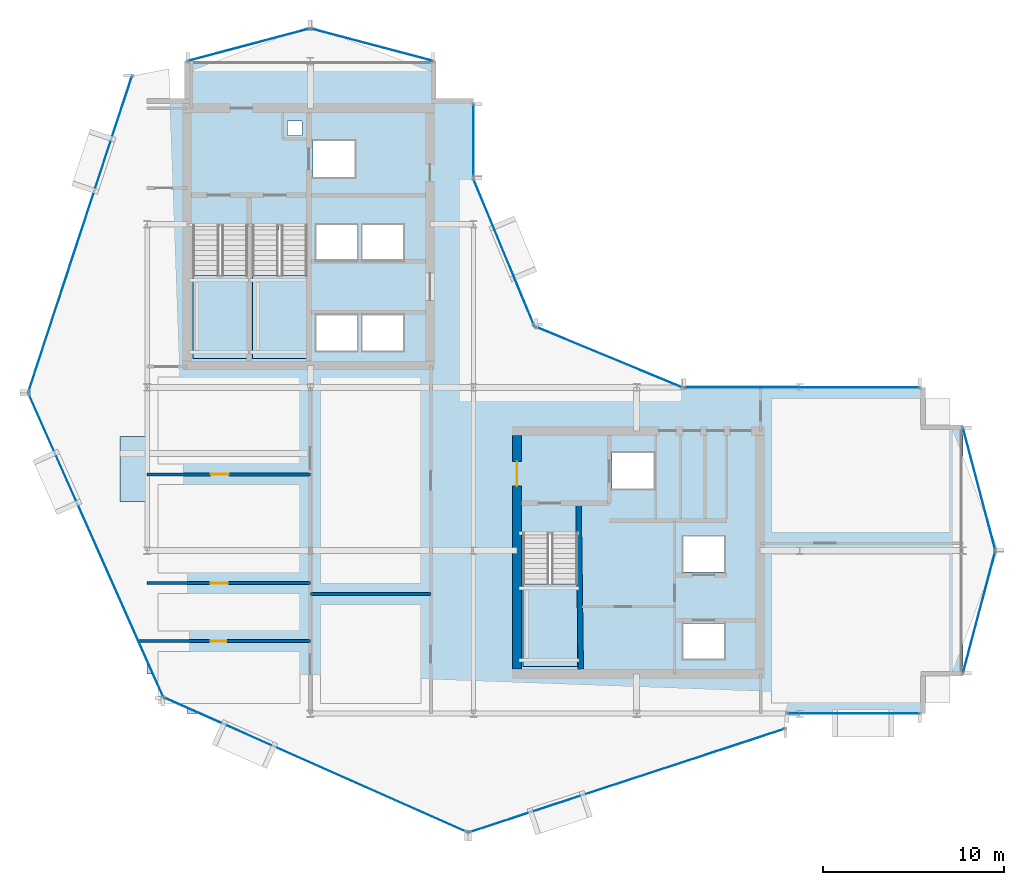
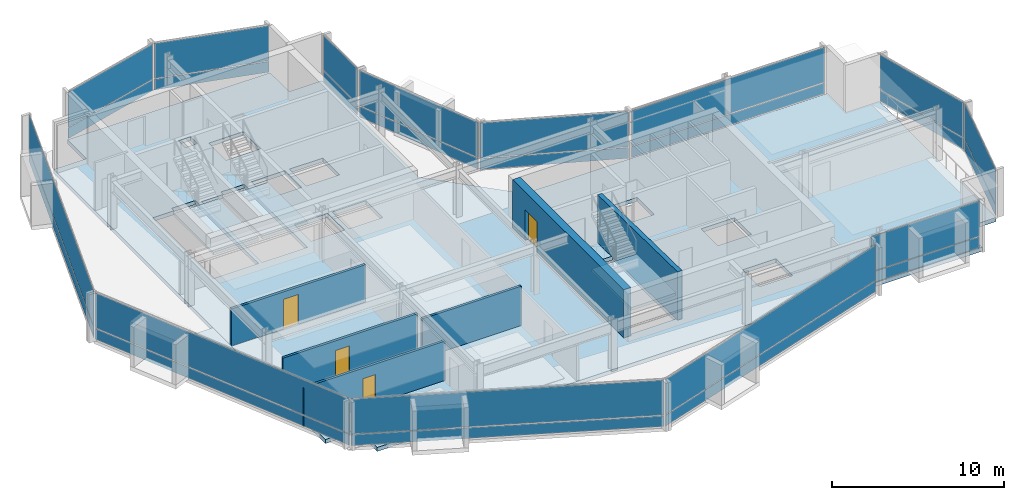
# One storey, part 19 of 27: 26 plates, 6 walls, 5 slabs, 4 doors, 4 openings, 16 elements without a shape of their own.
"""IFC4 building model written with IfcOpenShell, lengths in metres."""

from ifc_helpers import new_model, si_unit, direction, frame, frame_2d, origin, origin_2d, place, context, subcontext, project, spatial, polyline, rectangle, outline, extrude, material, layer, layer_set, type_object, element, fill, aggregate, save


model = new_model("IFC4")

# Units and contexts
model_context = context("Model", 3, precision=1e-05, world=origin(), true_north=direction((0.0, 1.0)))
body_context = subcontext(model_context, "Body", "Model", "MODEL_VIEW")
ifc_project = project(units=[si_unit("LENGTHUNIT", "METRE"), si_unit("AREAUNIT", "SQUARE_METRE"), si_unit("VOLUMEUNIT", "CUBIC_METRE"), si_unit("PLANEANGLEUNIT", "RADIAN"), si_unit("MASSUNIT", "GRAM", prefix="KILO")], contexts=[model_context])

# Site, building, storey
site_placement = place(None, origin())
site = spatial("IfcSite", under=ifc_project, at=site_placement, CompositionType="ELEMENT")
building_placement = place(site_placement, origin())
building = spatial("IfcBuilding", under=site, at=building_placement, Name="Solvaryn Broadcast Tower", CompositionType="ELEMENT")
storey_placement = place(building_placement, frame((0.0, 0.0, 177.89990234375)))
storey = spatial("IfcBuildingStorey", under=building, at=storey_placement, Name="L44", CompositionType="ELEMENT", Elevation=177.89990234375)

# Curtain wall, plates
ifc_material_1 = material(Name="Aluminium and Terracotta Unitised Curtain Wall", Category="masonry")
ifc_layer_1 = layer(ifc_material_1, 0.199951171875)
ifc_layer_set_1 = layer_set([ifc_layer_1], Name="CW-SYS2-LOWMID")
curtain_wall_type = type_object("IfcCurtainWallType", Name="CW-SYS2-LOWMID", PredefinedType="NOTDEFINED", material=ifc_layer_set_1)
curtain_wall_1_placement = place(storey_placement, origin())
curtain_wall_1 = element("IfcCurtainWall", 1, at=curtain_wall_1_placement, inside=storey, type_object=curtain_wall_type, Name="L44 Curtain Wall DR1", PredefinedType="NOTDEFINED")
ifc_material_2 = material(Name="Kiln-Fired Architectural Terracotta Spandrel", Category="masonry")
ifc_layer_2 = layer(ifc_material_2, 0.048095703125)
ifc_layer_set_2 = layer_set([ifc_layer_2], Name="CW-PNL-TERRACOTTA")
plate_type = type_object("IfcPlateType", Name="CW-PNL-TERRACOTTA", PredefinedType="CURTAIN_PANEL", material=ifc_layer_set_2)
plate_1_placement = place(storey_placement, frame((5.298095703125, 35.444091796875, 0.06005859375), z_axis=(0.0, 0.0, 1.0), x_axis=(-0.311558717623, -0.950226902099, 0.0)))
plate_1 = element("IfcPlate", 2, at=plate_1_placement, type_object=plate_type, Name="CWS2 panel 1.1", PredefinedType="CURTAIN_PANEL", context=body_context, shape_type="SweptSolid", body=[
    extrude(rectangle(XDim=18.271484375, YDim=0.028076171875, at=origin_2d()), origin(), (0.0, 0.0, 1.0), 0.760009765625),
])
plate_2_placement = place(storey_placement, frame((5.298095703125, 35.444091796875, 0.880126953125), z_axis=(0.0, 0.0, 1.0), x_axis=(-0.311558717623, -0.950226902099, 0.0)))
plate_2 = element("IfcPlate", 3, at=plate_2_placement, type_object=plate_type, Name="CWS2 panel 1.2", PredefinedType="CURTAIN_PANEL", context=body_context, shape_type="SweptSolid", body=[
    extrude(rectangle(XDim=18.271484375, YDim=0.028076171875, at=origin_2d()), origin(), (0.0, 0.0, 1.0), 2.47998046875),
])
aggregate(curtain_wall_1, [plate_1, plate_2])

curtain_wall_2_placement = place(storey_placement, origin())
curtain_wall_2 = element("IfcCurtainWall", 4, at=curtain_wall_2_placement, inside=storey, type_object=curtain_wall_type, Name="L44 Curtain Wall DR2", PredefinedType="NOTDEFINED")
plate_3_placement = place(storey_placement, frame((6.16552734375, 18.302001953125, 0.06005859375), z_axis=(0.0, 0.0, 1.0), x_axis=(0.405901337237, -0.913916902365, 0.0)))
plate_3 = element("IfcPlate", 5, at=plate_3_placement, type_object=plate_type, Name="CWS2 panel 1.1", PredefinedType="CURTAIN_PANEL", context=body_context, shape_type="SweptSolid", body=[
    extrude(rectangle(XDim=18.271240234375, YDim=0.028076171875, at=origin_2d()), origin(), (0.0, 0.0, 1.0), 0.760009765625),
])
plate_4_placement = place(storey_placement, frame((6.16552734375, 18.302001953125, 0.880126953125), z_axis=(0.0, 0.0, 1.0), x_axis=(0.405901337237, -0.913916902365, 0.0)))
plate_4 = element("IfcPlate", 6, at=plate_4_placement, type_object=plate_type, Name="CWS2 panel 1.2", PredefinedType="CURTAIN_PANEL", context=body_context, shape_type="SweptSolid", body=[
    extrude(rectangle(XDim=18.271240234375, YDim=0.028076171875, at=origin_2d()), origin(), (0.0, 0.0, 1.0), 2.47998046875),
])
aggregate(curtain_wall_2, [plate_3, plate_4])

curtain_wall_3_placement = place(storey_placement, origin())
curtain_wall_3 = element("IfcCurtainWall", 7, at=curtain_wall_3_placement, inside=storey, type_object=curtain_wall_type, Name="L44 Curtain Wall DR3", PredefinedType="NOTDEFINED")
plate_5_placement = place(storey_placement, frame((18.302001953125, 6.16552734375, 0.06005859375), z_axis=(0.0, 0.0, 1.0), x_axis=(0.913916902365, -0.405901337237, 0.0)))
plate_5 = element("IfcPlate", 8, at=plate_5_placement, type_object=plate_type, Name="CWS2 panel 1.1", PredefinedType="CURTAIN_PANEL", context=body_context, shape_type="SweptSolid", body=[
    extrude(rectangle(XDim=18.271240234375, YDim=0.028076171875, at=origin_2d()), origin(), (0.0, 0.0, 1.0), 0.760009765625),
])
plate_6_placement = place(storey_placement, frame((18.302001953125, 6.16552734375, 0.880126953125), z_axis=(0.0, 0.0, 1.0), x_axis=(0.913916902365, -0.405901337237, 0.0)))
plate_6 = element("IfcPlate", 9, at=plate_6_placement, type_object=plate_type, Name="CWS2 panel 1.2", PredefinedType="CURTAIN_PANEL", context=body_context, shape_type="SweptSolid", body=[
    extrude(rectangle(XDim=18.271240234375, YDim=0.028076171875, at=origin_2d()), origin(), (0.0, 0.0, 1.0), 2.47998046875),
])
aggregate(curtain_wall_3, [plate_5, plate_6])

curtain_wall_4_placement = place(storey_placement, origin())
curtain_wall_4 = element("IfcCurtainWall", 10, at=curtain_wall_4_placement, inside=storey, type_object=curtain_wall_type, Name="L44 Curtain Wall DR4", PredefinedType="NOTDEFINED")
plate_7_placement = place(storey_placement, frame((35.444091796875, 5.298095703125, 0.06005859375), z_axis=(0.0, 0.0, 1.0), x_axis=(0.950226902099, 0.311558717623, 0.0)))
plate_7 = element("IfcPlate", 11, at=plate_7_placement, type_object=plate_type, Name="CWS2 panel 1.1", PredefinedType="CURTAIN_PANEL", context=body_context, shape_type="SweptSolid", body=[
    extrude(rectangle(XDim=18.271484375, YDim=0.028076171875, at=origin_2d()), origin(), (0.0, 0.0, 1.0), 0.760009765625),
])
plate_8_placement = place(storey_placement, frame((35.444091796875, 5.298095703125, 0.880126953125), z_axis=(0.0, 0.0, 1.0), x_axis=(0.950226902099, 0.311558717623, 0.0)))
plate_8 = element("IfcPlate", 12, at=plate_8_placement, type_object=plate_type, Name="CWS2 panel 1.2", PredefinedType="CURTAIN_PANEL", context=body_context, shape_type="SweptSolid", body=[
    extrude(rectangle(XDim=18.271484375, YDim=0.028076171875, at=origin_2d()), origin(), (0.0, 0.0, 1.0), 2.47998046875),
])
aggregate(curtain_wall_4, [plate_7, plate_8])

curtain_wall_5_placement = place(storey_placement, origin())
curtain_wall_5 = element("IfcCurtainWall", 13, at=curtain_wall_5_placement, inside=storey, type_object=curtain_wall_type, Name="L44 Curtain Wall IV", PredefinedType="NOTDEFINED")
plate_9_placement = place(storey_placement, frame((27.0, 40.625, 0.06005859375), z_axis=(0.0, 0.0, 1.0), x_axis=(0.0, -1.0, 0.0)))
plate_9 = element("IfcPlate", 14, at=plate_9_placement, type_object=plate_type, Name="CWS2 panel 1.1", PredefinedType="CURTAIN_PANEL", context=body_context, shape_type="SweptSolid", body=[
    extrude(rectangle(XDim=3.929931640625, YDim=0.028076171875, at=origin_2d()), origin(), (0.0, 0.0, 1.0), 0.760009765625),
])
plate_10_placement = place(storey_placement, frame((27.0, 40.625, 0.880126953125), z_axis=(0.0, 0.0, 1.0), x_axis=(0.0, -1.0, 0.0)))
plate_10 = element("IfcPlate", 15, at=plate_10_placement, type_object=plate_type, Name="CWS2 panel 1.2", PredefinedType="CURTAIN_PANEL", context=body_context, shape_type="SweptSolid", body=[
    extrude(rectangle(XDim=3.929931640625, YDim=0.028076171875, at=origin_2d()), origin(), (0.0, 0.0, 1.0), 2.47998046875),
])
aggregate(curtain_wall_5, [plate_9, plate_10])

curtain_wall_6_placement = place(storey_placement, origin())
curtain_wall_6 = element("IfcCurtainWall", 16, at=curtain_wall_6_placement, inside=storey, type_object=curtain_wall_type, Name="L44 Curtain Wall CN1", PredefinedType="NOTDEFINED")
plate_11_placement = place(storey_placement, frame((34.43408203125, 28.68408203125, 0.06005859375), z_axis=(0.0, 0.0, 1.0), x_axis=(-0.923894983957, 0.382646127145, 0.0)))
plate_11 = element("IfcPlate", 17, at=plate_11_placement, type_object=plate_type, Name="CWS2 panel 1.1", PredefinedType="CURTAIN_PANEL", context=body_context, shape_type="SweptSolid", body=[
    extrude(rectangle(XDim=8.681884765625, YDim=0.028076171875, at=origin_2d()), origin(), (0.0, 0.0, 1.0), 0.760009765625),
])
plate_12_placement = place(storey_placement, frame((34.43408203125, 28.68408203125, 0.880126953125), z_axis=(0.0, 0.0, 1.0), x_axis=(-0.923894983957, 0.382646127145, 0.0)))
plate_12 = element("IfcPlate", 18, at=plate_12_placement, type_object=plate_type, Name="CWS2 panel 1.2", PredefinedType="CURTAIN_PANEL", context=body_context, shape_type="SweptSolid", body=[
    extrude(rectangle(XDim=8.681884765625, YDim=0.028076171875, at=origin_2d()), origin(), (0.0, 0.0, 1.0), 2.47998046875),
])
aggregate(curtain_wall_6, [plate_11, plate_12])

curtain_wall_7_placement = place(storey_placement, origin())
curtain_wall_7 = element("IfcCurtainWall", 19, at=curtain_wall_7_placement, inside=storey, type_object=curtain_wall_type, Name="L44 Curtain Wall CN2", PredefinedType="NOTDEFINED")
plate_13_placement = place(storey_placement, frame((28.68408203125, 34.43408203125, 0.06005859375), z_axis=(0.0, 0.0, 1.0), x_axis=(-0.382646127145, 0.923894983957, 0.0)))
plate_13 = element("IfcPlate", 20, at=plate_13_placement, type_object=plate_type, Name="CWS2 panel 1.1", PredefinedType="CURTAIN_PANEL", context=body_context, shape_type="SweptSolid", body=[
    extrude(rectangle(XDim=8.681884765625, YDim=0.028076171875, at=origin_2d()), origin(), (0.0, 0.0, 1.0), 0.760009765625),
])
plate_14_placement = place(storey_placement, frame((28.68408203125, 34.43408203125, 0.880126953125), z_axis=(0.0, 0.0, 1.0), x_axis=(-0.382646127145, 0.923894983957, 0.0)))
plate_14 = element("IfcPlate", 21, at=plate_14_placement, type_object=plate_type, Name="CWS2 panel 1.2", PredefinedType="CURTAIN_PANEL", context=body_context, shape_type="SweptSolid", body=[
    extrude(rectangle(XDim=8.681884765625, YDim=0.028076171875, at=origin_2d()), origin(), (0.0, 0.0, 1.0), 2.47998046875),
])
aggregate(curtain_wall_7, [plate_13, plate_14])

curtain_wall_8_placement = place(storey_placement, origin())
curtain_wall_8 = element("IfcCurtainWall", 22, at=curtain_wall_8_placement, inside=storey, type_object=curtain_wall_type, Name="L44 Curtain Wall S2", PredefinedType="NOTDEFINED")
plate_15_placement = place(storey_placement, frame((47.966064453125, 9.0, 0.06005859375), z_axis=(0.0, 0.0, 1.0), x_axis=(1.0, 0.0, 0.0)))
plate_15 = element("IfcPlate", 23, at=plate_15_placement, type_object=plate_type, Name="CWS2 panel 1.1", PredefinedType="CURTAIN_PANEL", context=body_context, shape_type="SweptSolid", body=[
    extrude(rectangle(XDim=7.248046875, YDim=0.028076171875, at=origin_2d()), origin(), (0.0, 0.0, 1.0), 0.760009765625),
])
plate_16_placement = place(storey_placement, frame((47.966064453125, 9.0, 0.880126953125), z_axis=(0.0, 0.0, 1.0), x_axis=(1.0, 0.0, 0.0)))
plate_16 = element("IfcPlate", 24, at=plate_16_placement, type_object=plate_type, Name="CWS2 panel 1.2", PredefinedType="CURTAIN_PANEL", context=body_context, shape_type="SweptSolid", body=[
    extrude(rectangle(XDim=7.248046875, YDim=0.028076171875, at=origin_2d()), origin(), (0.0, 0.0, 1.0), 2.47998046875),
])
aggregate(curtain_wall_8, [plate_15, plate_16])

curtain_wall_9_placement = place(storey_placement, origin())
curtain_wall_9 = element("IfcCurtainWall", 25, at=curtain_wall_9_placement, inside=storey, type_object=curtain_wall_type, Name="L44 Curtain Wall NT1", PredefinedType="NOTDEFINED")
plate_17_placement = place(storey_placement, frame((21.39990234375, 45.89990234375, 0.06005859375), z_axis=(0.0, 0.0, 1.0), x_axis=(-0.966705227863, 0.25589256031, 0.0)))
plate_17 = element("IfcPlate", 26, at=plate_17_placement, type_object=plate_type, Name="CWS2 panel 1.1", PredefinedType="CURTAIN_PANEL", context=body_context, shape_type="SweptSolid", body=[
    extrude(rectangle(XDim=6.914306640625, YDim=0.028076171875, at=origin_2d()), origin(), (0.0, 0.0, 1.0), 0.760009765625),
])
plate_18_placement = place(storey_placement, frame((21.39990234375, 45.89990234375, 0.880126953125), z_axis=(0.0, 0.0, 1.0), x_axis=(-0.966705227863, 0.25589256031, 0.0)))
plate_18 = element("IfcPlate", 27, at=plate_18_placement, type_object=plate_type, Name="CWS2 panel 1.2", PredefinedType="CURTAIN_PANEL", context=body_context, shape_type="SweptSolid", body=[
    extrude(rectangle(XDim=6.914306640625, YDim=0.028076171875, at=origin_2d()), origin(), (0.0, 0.0, 1.0), 2.47998046875),
])
aggregate(curtain_wall_9, [plate_17, plate_18])

curtain_wall_10_placement = place(storey_placement, origin())
curtain_wall_10 = element("IfcCurtainWall", 28, at=curtain_wall_10_placement, inside=storey, type_object=curtain_wall_type, Name="L44 Curtain Wall NT2", PredefinedType="NOTDEFINED")
plate_19_placement = place(storey_placement, frame((14.60009765625, 45.89990234375, 0.06005859375), z_axis=(0.0, 0.0, 1.0), x_axis=(-0.966705227863, -0.25589256031, 0.0)))
plate_19 = element("IfcPlate", 29, at=plate_19_placement, type_object=plate_type, Name="CWS2 panel 1.1", PredefinedType="CURTAIN_PANEL", context=body_context, shape_type="SweptSolid", body=[
    extrude(rectangle(XDim=6.914306640625, YDim=0.028076171875, at=origin_2d()), origin(), (0.0, 0.0, 1.0), 0.760009765625),
])
plate_20_placement = place(storey_placement, frame((14.60009765625, 45.89990234375, 0.880126953125), z_axis=(0.0, 0.0, 1.0), x_axis=(-0.966705227863, -0.25589256031, 0.0)))
plate_20 = element("IfcPlate", 30, at=plate_20_placement, type_object=plate_type, Name="CWS2 panel 1.2", PredefinedType="CURTAIN_PANEL", context=body_context, shape_type="SweptSolid", body=[
    extrude(rectangle(XDim=6.914306640625, YDim=0.028076171875, at=origin_2d()), origin(), (0.0, 0.0, 1.0), 2.47998046875),
])
aggregate(curtain_wall_10, [plate_19, plate_20])

curtain_wall_11_placement = place(storey_placement, origin())
curtain_wall_11 = element("IfcCurtainWall", 31, at=curtain_wall_11_placement, inside=storey, type_object=curtain_wall_type, Name="L44 Curtain Wall ET1", PredefinedType="NOTDEFINED")
plate_21_placement = place(storey_placement, frame((54.89990234375, 21.39990234375, 0.06005859375), z_axis=(0.0, 0.0, 1.0), x_axis=(0.25589256031, -0.966705227863, 0.0)))
plate_21 = element("IfcPlate", 32, at=plate_21_placement, type_object=plate_type, Name="CWS2 panel 1.1", PredefinedType="CURTAIN_PANEL", context=body_context, shape_type="SweptSolid", body=[
    extrude(rectangle(XDim=6.914306640625, YDim=0.028076171875, at=origin_2d()), origin(), (0.0, 0.0, 1.0), 0.760009765625),
])
plate_22_placement = place(storey_placement, frame((54.89990234375, 21.39990234375, 0.880126953125), z_axis=(0.0, 0.0, 1.0), x_axis=(0.25589256031, -0.966705227863, 0.0)))
plate_22 = element("IfcPlate", 33, at=plate_22_placement, type_object=plate_type, Name="CWS2 panel 1.2", PredefinedType="CURTAIN_PANEL", context=body_context, shape_type="SweptSolid", body=[
    extrude(rectangle(XDim=6.914306640625, YDim=0.028076171875, at=origin_2d()), origin(), (0.0, 0.0, 1.0), 2.47998046875),
])
aggregate(curtain_wall_11, [plate_21, plate_22])

curtain_wall_12_placement = place(storey_placement, origin())
curtain_wall_12 = element("IfcCurtainWall", 34, at=curtain_wall_12_placement, inside=storey, type_object=curtain_wall_type, Name="L44 Curtain Wall ET2", PredefinedType="NOTDEFINED")
plate_23_placement = place(storey_placement, frame((54.89990234375, 14.60009765625, 0.06005859375), z_axis=(0.0, 0.0, 1.0), x_axis=(-0.25589256031, -0.966705227863, 0.0)))
plate_23 = element("IfcPlate", 35, at=plate_23_placement, type_object=plate_type, Name="CWS2 panel 1.1", PredefinedType="CURTAIN_PANEL", context=body_context, shape_type="SweptSolid", body=[
    extrude(rectangle(XDim=6.914306640625, YDim=0.028076171875, at=origin_2d()), origin(), (0.0, 0.0, 1.0), 0.760009765625),
])
plate_24_placement = place(storey_placement, frame((54.89990234375, 14.60009765625, 0.880126953125), z_axis=(0.0, 0.0, 1.0), x_axis=(-0.25589256031, -0.966705227863, 0.0)))
plate_24 = element("IfcPlate", 36, at=plate_24_placement, type_object=plate_type, Name="CWS2 panel 1.2", PredefinedType="CURTAIN_PANEL", context=body_context, shape_type="SweptSolid", body=[
    extrude(rectangle(XDim=6.914306640625, YDim=0.028076171875, at=origin_2d()), origin(), (0.0, 0.0, 1.0), 2.47998046875),
])
aggregate(curtain_wall_12, [plate_23, plate_24])

curtain_wall_13_placement = place(storey_placement, origin())
curtain_wall_13 = element("IfcCurtainWall", 37, at=curtain_wall_13_placement, inside=storey, type_object=curtain_wall_type, Name="L44 Curtain Wall IH", PredefinedType="NOTDEFINED")
plate_25_placement = place(storey_placement, frame((45.125, 27.0, 0.06005859375), z_axis=(0.0, 0.0, 1.0), x_axis=(1.0, 0.0, 0.0)))
plate_25 = element("IfcPlate", 38, at=plate_25_placement, type_object=plate_type, Name="CWS2 panel 1.1", PredefinedType="CURTAIN_PANEL", context=body_context, shape_type="SweptSolid", body=[
    extrude(rectangle(XDim=12.929931640625, YDim=0.028076171875, at=origin_2d()), origin(), (0.0, 0.0, 1.0), 0.760009765625),
])
plate_26_placement = place(storey_placement, frame((45.125, 27.0, 0.880126953125), z_axis=(0.0, 0.0, 1.0), x_axis=(1.0, 0.0, 0.0)))
plate_26 = element("IfcPlate", 39, at=plate_26_placement, type_object=plate_type, Name="CWS2 panel 1.2", PredefinedType="CURTAIN_PANEL", context=body_context, shape_type="SweptSolid", body=[
    extrude(rectangle(XDim=12.929931640625, YDim=0.028076171875, at=origin_2d()), origin(), (0.0, 0.0, 1.0), 2.47998046875),
])
aggregate(curtain_wall_13, [plate_25, plate_26])

# Slab
ifc_material_3 = material(Name="Concrete f'c 60 MPa", Category="concrete")
ifc_layer_3 = layer(ifc_material_3, 0.2099609375)
ifc_layer_set_3 = layer_set([ifc_layer_3], Name="SL-BAYBOX-210")
slab_type_1 = type_object("IfcSlabType", Name="SL-BAYBOX-210", PredefinedType="FLOOR", material=ifc_layer_set_3)
slab_1_placement = place(storey_placement, frame((0.0, 0.0, -0.2099609375)))
element("IfcSlab", 40, at=slab_1_placement, inside=storey, type_object=slab_type_1, Name="L44 Projecting Bay-Box Slab 1", PredefinedType="FLOOR", context=body_context, shape_type="SweptSolid", body=[
    extrude(outline(polyline([(7.5, 20.699951171875), (9.0, 20.699951171875), (9.0, 24.300048828125), (7.5, 24.300048828125), (7.5, 20.699951171875)])), origin(), (0.0, 0.0, 1.0), 0.2099609375),
])

# Stair, slab
ifc_material_4 = material(Name="Concrete f'c 60 MPa", Category="concrete")
stair_type = type_object("IfcStairType", Name="ST-CORE", PredefinedType="HALF_TURN_STAIR", material=ifc_material_4)
stair_1_placement = place(storey_placement, origin())
stair_1 = element("IfcStair", 41, at=stair_1_placement, inside=storey, type_object=stair_type, Name="L44 ST1", PredefinedType="HALF_TURN_STAIR")
ifc_material_5 = material(Name="Concrete f'c 60 MPa", Category="concrete")
ifc_layer_4 = layer(ifc_material_5, 0.199951171875)
ifc_layer_set_4 = layer_set([ifc_layer_4], Name="SL-LANDING-200")
slab_type_2 = type_object("IfcSlabType", Name="SL-LANDING-200", PredefinedType="LANDING", material=ifc_layer_set_4)
slab_2_placement = place(storey_placement, frame((0.0, 0.0, 1.650146484375)))
slab_2 = element("IfcSlab", 42, at=slab_2_placement, type_object=slab_type_2, Name="ST1 landing 1", PredefinedType="LANDING", context=body_context, shape_type="SweptSolid", body=[
    extrude(outline(polyline([(11.52001953125, 33.159912109375), (11.52001953125, 28.60009765625), (14.550048828125, 28.60009765625), (14.550048828125, 33.159912109375), (11.52001953125, 33.159912109375)])), origin(), (0.0, 0.0, 1.0), 0.199951171875),
])
aggregate(stair_1, [slab_2])

stair_2_placement = place(storey_placement, origin())
stair_2 = element("IfcStair", 43, at=stair_2_placement, inside=storey, type_object=stair_type, Name="L44 ST2", PredefinedType="HALF_TURN_STAIR")
slab_3_placement = place(storey_placement, frame((0.0, 0.0, 1.650146484375)))
slab_3 = element("IfcSlab", 44, at=slab_3_placement, type_object=slab_type_2, Name="ST2 landing 1", PredefinedType="LANDING", context=body_context, shape_type="SweptSolid", body=[
    extrude(outline(polyline([(14.800048828125, 33.159912109375), (14.800048828125, 28.60009765625), (17.830078125, 28.60009765625), (17.830078125, 33.159912109375), (14.800048828125, 33.159912109375)])), origin(), (0.0, 0.0, 1.0), 0.199951171875),
])
aggregate(stair_2, [slab_3])

stair_3_placement = place(storey_placement, origin())
stair_3 = element("IfcStair", 45, at=stair_3_placement, inside=storey, type_object=stair_type, Name="L44 ST3", PredefinedType="HALF_TURN_STAIR")
slab_4_placement = place(storey_placement, frame((0.0, 0.0, 1.650146484375)))
slab_4 = element("IfcSlab", 46, at=slab_4_placement, type_object=slab_type_2, Name="ST3 landing 1", PredefinedType="LANDING", context=body_context, shape_type="SweptSolid", body=[
    extrude(outline(polyline([(29.719970703125, 16.159912109375), (29.719970703125, 11.60009765625), (32.75, 11.60009765625), (32.75, 16.159912109375), (29.719970703125, 16.159912109375)])), origin(), (0.0, 0.0, 1.0), 0.199951171875),
])
aggregate(stair_3, [slab_4])

# Slab
ifc_material_6 = material(Name="Concrete f'c 60 MPa", Category="concrete")
ifc_layer_5 = layer(ifc_material_6, 0.280029296875)
ifc_layer_set_5 = layer_set([ifc_layer_5], Name="SL-TWR-280")
slab_type_3 = type_object("IfcSlabType", Name="SL-TWR-280", PredefinedType="FLOOR", material=ifc_layer_set_5)
slab_5_placement = place(storey_placement, frame((0.0, 0.0, -0.27978515625)))
element("IfcSlab", 47, at=slab_5_placement, inside=storey, type_object=slab_type_3, Name="L44 Structural Floor Slab", PredefinedType="FLOOR", context=body_context, shape_type="SweptSolid", body=[
    extrude(outline(polyline([(11.199951171875, 9.0), (51.800048828125, 9.0), (51.800048828125, 11.199951171875), (54.0, 11.199951171875), (54.0, 24.800048828125), (51.800048828125, 24.800048828125), (51.800048828125, 27.0), (31.5, 27.0), (27.0, 31.5), (27.0, 42.800048828125), (24.800048828125, 42.800048828125), (24.800048828125, 45.0), (11.199951171875, 45.0), (11.199951171875, 42.800048828125), (9.0, 42.800048828125), (9.0, 11.199951171875), (11.199951171875, 11.199951171875), (11.199951171875, 9.0)]), holes=[polyline([(11.52001953125, 28.60009765625), (14.550048828125, 28.60009765625), (14.550048828125, 35.9599609375), (12.97998046875, 35.9599609375), (12.97998046875, 35.679931640625), (11.52001953125, 35.679931640625), (11.52001953125, 28.60009765625)]), polyline([(14.800048828125, 28.60009765625), (17.830078125, 28.60009765625), (17.830078125, 35.9599609375), (16.260009765625, 35.9599609375), (16.260009765625, 35.679931640625), (14.800048828125, 35.679931640625), (14.800048828125, 28.60009765625)]), polyline([(29.719970703125, 11.60009765625), (32.75, 11.60009765625), (32.75, 18.9599609375), (31.179931640625, 18.9599609375), (31.179931640625, 18.679931640625), (29.719970703125, 18.679931640625), (29.719970703125, 11.60009765625)]), polyline([(18.14990234375, 38.60009765625), (20.449951171875, 38.60009765625), (20.449951171875, 40.60009765625), (18.14990234375, 40.60009765625), (18.14990234375, 38.60009765625)]), polyline([(18.324951171875, 29.02490234375), (20.574951171875, 29.02490234375), (20.574951171875, 30.97509765625), (18.324951171875, 30.97509765625), (18.324951171875, 29.02490234375)]), polyline([(20.875, 29.02490234375), (23.125, 29.02490234375), (23.125, 30.97509765625), (20.875, 30.97509765625), (20.875, 29.02490234375)]), polyline([(18.324951171875, 34.02490234375), (20.574951171875, 34.02490234375), (20.574951171875, 35.97509765625), (18.324951171875, 35.97509765625), (18.324951171875, 34.02490234375)]), polyline([(20.875, 34.02490234375), (23.125, 34.02490234375), (23.125, 35.97509765625), (20.875, 35.97509765625), (20.875, 34.02490234375)]), polyline([(34.64990234375, 21.39990234375), (36.949951171875, 21.39990234375), (36.949951171875, 23.39990234375), (34.64990234375, 23.39990234375), (34.64990234375, 21.39990234375)]), polyline([(38.574951171875, 12.02490234375), (40.824951171875, 12.02490234375), (40.824951171875, 13.97509765625), (38.574951171875, 13.97509765625), (38.574951171875, 12.02490234375)]), polyline([(38.574951171875, 16.824951171875), (40.824951171875, 16.824951171875), (40.824951171875, 18.77490234375), (38.574951171875, 18.77490234375), (38.574951171875, 16.824951171875)]), polyline([(16.75, 40.89990234375), (17.550048828125, 40.89990234375), (17.550048828125, 41.699951171875), (16.75, 41.699951171875), (16.75, 40.89990234375)])]), origin(), (0.0, 0.0, 1.0), 0.27978515625),
])

# Wall, opening, door
ifc_material_7 = material(Name="Concrete f'c 70 MPa", Category="concrete")
ifc_layer_6 = layer(ifc_material_7, 0.5)
ifc_layer_set_6 = layer_set([ifc_layer_6], Name="CW-SHEAR-500")
wall_type_1 = type_object("IfcWallType", Name="CW-SHEAR-500", PredefinedType="SHEAR", material=ifc_layer_set_6)
wall_1_placement = place(storey_placement, frame((29.39990234375, 24.35009765625, 0.0), z_axis=(0.0, 0.0, 1.0), x_axis=(0.0, -1.0, 0.0)))
wall_1 = element("IfcWall", 48, at=wall_1_placement, inside=storey, type_object=wall_type_1, Name="L44 East Core West Shear Wall", PredefinedType="SHEAR", context=body_context, shape_type="SweptSolid", body=[
    extrude(rectangle(XDim=12.900146484375, YDim=0.5, at=frame_2d((6.4501953125, 0.0))), origin(), (0.0, 0.0, 1.0), 3.420166015625),
])
opening_1_placement = place(wall_1_placement, frame((1.449951171875, 0.0, 0.0)))
opening_1 = element("IfcOpeningElement", 49, at=opening_1_placement, cuts=wall_1, Name="Opening FD90B", PredefinedType="OPENING", context=body_context, shape_type="SweptSolid", body=[
    extrude(rectangle(XDim=1.35009765625, YDim=2.14990234375, at=frame_2d((0.675048828125, 1.074951171875))), frame((0.0, 0.260009765625, 0.0), z_axis=(0.0, -1.0, 0.0), x_axis=(1.0, 0.0, 0.0)), (0.0, 0.0, 1.0), 0.52001953125),
])
ifc_material_8 = material(Name="Flush Acoustic Steel and Timber Door Assembly", Category="steel")
door_type_1 = type_object("IfcDoorType", Name="FD90-LOBBY-1350X2150", OperationType="NOTDEFINED", PredefinedType="DOOR", material=ifc_material_8)
door_1_placement = place(opening_1_placement, origin())
door_1 = element("IfcDoor", 50, at=door_1_placement, inside=storey, type_object=door_type_1, Name="L44 East FSAE Lobby Door", OperationType="SINGLE_SWING_RIGHT", OverallHeight=2.14990234375, OverallWidth=1.35009765625, PredefinedType="DOOR", context=body_context, shape_type="SweptSolid", body=[
    extrude(rectangle(XDim=1.35009765625, YDim=2.14990234375, at=frame_2d((0.675048828125, 1.074951171875))), frame((0.0, 0.02490234375, 0.0), z_axis=(0.0, -1.0, 0.0), x_axis=(1.0, 0.0, 0.0)), (0.0, 0.0, 1.0), 0.050048828125),
])
fill(opening_1, door_1)

# Wall
ifc_material_9 = material(Name="Metal-Stud Gypsum Office Partition")
ifc_layer_7 = layer(ifc_material_9, 0.159912109375)
ifc_layer_set_7 = layer_set([ifc_layer_7], Name="IW-PART-160")
wall_type_2 = type_object("IfcWallType", Name="IW-PART-160", PredefinedType="PARTITIONING", material=ifc_layer_set_7)
wall_2_placement = place(storey_placement, frame((18.0, 15.60009765625, 0.0), z_axis=(0.0, 0.0, 1.0), x_axis=(1.0, 0.0, 0.0)))
element("IfcWall", 51, at=wall_2_placement, inside=storey, type_object=wall_type_2, Name="L44 Interior Partition IW-L44-SWE-H1", PredefinedType="PARTITIONING", context=body_context, shape_type="SweptSolid", body=[
    extrude(rectangle(XDim=6.64990234375, YDim=0.159912109375, at=frame_2d((3.324951171875, 0.0))), origin(), (0.0, 0.0, 1.0), 2.7890625),
])

# Wall, opening, door
wall_3_placement = place(storey_placement, frame((8.52001953125, 13.0, 0.0), z_axis=(0.0, 0.0, 1.0), x_axis=(1.0, 0.0, 0.0)))
wall_3 = element("IfcWall", 52, at=wall_3_placement, inside=storey, type_object=wall_type_2, Name="L44 Interior Partition IW-L44-SWW-H1", PredefinedType="PARTITIONING", context=body_context, shape_type="SweptSolid", body=[
    extrude(rectangle(XDim=9.47998046875, YDim=0.159912109375, at=frame_2d((4.739990234375, 0.0))), origin(), (0.0, 0.0, 1.0), 2.7919921875),
])
opening_2_placement = place(wall_3_placement, frame((3.97998046875, 0.0, 0.0)))
opening_2 = element("IfcOpeningElement", 53, at=opening_2_placement, cuts=wall_3, Name="Opening ID07", PredefinedType="OPENING", context=body_context, shape_type="SweptSolid", body=[
    extrude(rectangle(XDim=0.860107421875, YDim=2.050048828125, at=frame_2d((0.43017578125, 1.02490234375))), frame((0.0, 0.090087890625, 0.0), z_axis=(0.0, -1.0, 0.0), x_axis=(1.0, 0.0, 0.0)), (0.0, 0.0, 1.0), 0.179931640625),
])
ifc_material_10 = material(Name="Flush Acoustic Steel and Timber Door Assembly", Category="steel")
door_type_2 = type_object("IfcDoorType", Name="ID-07-860X2050", OperationType="NOTDEFINED", PredefinedType="DOOR", material=ifc_material_10)
door_2_placement = place(opening_2_placement, origin())
door_2 = element("IfcDoor", 54, at=door_2_placement, inside=storey, type_object=door_type_2, Name="L44 Door DR-L44-SWW-1", OperationType="SINGLE_SWING_LEFT", OverallHeight=2.050048828125, OverallWidth=0.860107421875, PredefinedType="DOOR", context=body_context, shape_type="SweptSolid", body=[
    extrude(rectangle(XDim=0.860107421875, YDim=2.050048828125, at=frame_2d((0.43017578125, 1.02490234375))), frame((0.0, 0.02490234375, 0.0), z_axis=(0.0, -1.0, 0.0), x_axis=(1.0, 0.0, 0.0)), (0.0, 0.0, 1.0), 0.050048828125),
])
fill(opening_2, door_2)

wall_4_placement = place(storey_placement, frame((9.0, 16.199951171875, 0.0), z_axis=(0.0, 0.0, 1.0), x_axis=(1.0, 0.0, 0.0)))
wall_4 = element("IfcWall", 55, at=wall_4_placement, inside=storey, type_object=wall_type_2, Name="L44 Interior Partition IW-L44-SWW-H2", PredefinedType="PARTITIONING", context=body_context, shape_type="SweptSolid", body=[
    extrude(rectangle(XDim=9.0, YDim=0.159912109375, at=frame_2d((4.5, 0.0))), origin(), (0.0, 0.0, 1.0), 2.7919921875),
])
opening_3_placement = place(wall_4_placement, frame((3.5, 0.0, 0.0)))
opening_3 = element("IfcOpeningElement", 56, at=opening_3_placement, cuts=wall_4, Name="Opening ID01", PredefinedType="OPENING", context=body_context, shape_type="SweptSolid", body=[
    extrude(rectangle(XDim=0.949951171875, YDim=2.10009765625, at=frame_2d((0.47509765625, 1.050048828125))), frame((0.0, 0.090087890625, 0.0), z_axis=(0.0, -1.0, 0.0), x_axis=(1.0, 0.0, 0.0)), (0.0, 0.0, 1.0), 0.179931640625),
])
ifc_material_11 = material(Name="Flush Acoustic Steel and Timber Door Assembly", Category="steel")
door_type_3 = type_object("IfcDoorType", Name="ID-01-950X2100", OperationType="NOTDEFINED", PredefinedType="DOOR", material=ifc_material_11)
door_3_placement = place(opening_3_placement, origin())
door_3 = element("IfcDoor", 57, at=door_3_placement, inside=storey, type_object=door_type_3, Name="L44 Door DR-L44-SWW-2", OperationType="SINGLE_SWING_RIGHT", OverallHeight=2.10009765625, OverallWidth=0.949951171875, PredefinedType="DOOR", context=body_context, shape_type="SweptSolid", body=[
    extrude(rectangle(XDim=0.949951171875, YDim=2.10009765625, at=frame_2d((0.47509765625, 1.050048828125))), frame((0.0, 0.02490234375, 0.0), z_axis=(0.0, -1.0, 0.0), x_axis=(1.0, 0.0, 0.0)), (0.0, 0.0, 1.0), 0.050048828125),
])
fill(opening_3, door_3)

wall_5_placement = place(storey_placement, frame((9.0, 22.199951171875, 0.0), z_axis=(0.0, 0.0, 1.0), x_axis=(1.0, 0.0, 0.0)))
wall_5 = element("IfcWall", 58, at=wall_5_placement, inside=storey, type_object=wall_type_2, Name="L44 Interior Partition IW-L44-SWW-H3", PredefinedType="PARTITIONING", context=body_context, shape_type="SweptSolid", body=[
    extrude(rectangle(XDim=9.0, YDim=0.159912109375, at=frame_2d((4.5, 0.0))), origin(), (0.0, 0.0, 1.0), 2.634033203125),
])
opening_4_placement = place(wall_5_placement, frame((3.5, 0.0, 0.0)))
opening_4 = element("IfcOpeningElement", 59, at=opening_4_placement, cuts=wall_5, Name="Opening ID02", PredefinedType="OPENING", context=body_context, shape_type="SweptSolid", body=[
    extrude(rectangle(XDim=1.0, YDim=2.10009765625, at=frame_2d((0.5, 1.050048828125))), frame((0.0, 0.090087890625, 0.0), z_axis=(0.0, -1.0, 0.0), x_axis=(1.0, 0.0, 0.0)), (0.0, 0.0, 1.0), 0.179931640625),
])
ifc_material_12 = material(Name="Flush Acoustic Steel and Timber Door Assembly", Category="steel")
door_type_4 = type_object("IfcDoorType", Name="ID-02-1000X2100", OperationType="NOTDEFINED", PredefinedType="DOOR", material=ifc_material_12)
door_4_placement = place(opening_4_placement, origin())
door_4 = element("IfcDoor", 60, at=door_4_placement, inside=storey, type_object=door_type_4, Name="L44 Door DR-L44-SWW-3", OperationType="SINGLE_SWING_LEFT", OverallHeight=2.10009765625, OverallWidth=1.0, PredefinedType="DOOR", context=body_context, shape_type="SweptSolid", body=[
    extrude(rectangle(XDim=1.0, YDim=2.10009765625, at=frame_2d((0.5, 1.050048828125))), frame((0.0, 0.02490234375, 0.0), z_axis=(0.0, -1.0, 0.0), x_axis=(1.0, 0.0, 0.0)), (0.0, 0.0, 1.0), 0.050048828125),
])
fill(opening_4, door_4)

# Wall
ifc_material_13 = material(Name="Concrete f'c 70 MPa", Category="concrete")
ifc_layer_8 = layer(ifc_material_13, 0.300048828125)
ifc_layer_set_8 = layer_set([ifc_layer_8], Name="SW-SHAFT-300")
wall_type_3 = type_object("IfcWallType", Name="SW-SHAFT-300", PredefinedType="SHEAR", material=ifc_layer_set_8)
wall_6_placement = place(storey_placement, frame((32.919921875, 11.449951171875, 0.0), z_axis=(0.0, 0.0, 1.0), x_axis=(-0.013171578211, 0.999913251001, 0.0)))
element("IfcWall", 61, at=wall_6_placement, inside=storey, type_object=wall_type_3, Name="L44 Stair 3 East Shear Wall", PredefinedType="SHEAR", context=body_context, shape_type="SweptSolid", body=[
    extrude(rectangle(XDim=9.100830078125, YDim=0.300048828125, at=frame_2d((4.55029296875, 0.0))), origin(), (0.0, 0.0, 1.0), 3.420166015625),
])

save(model, "model.ifc")
